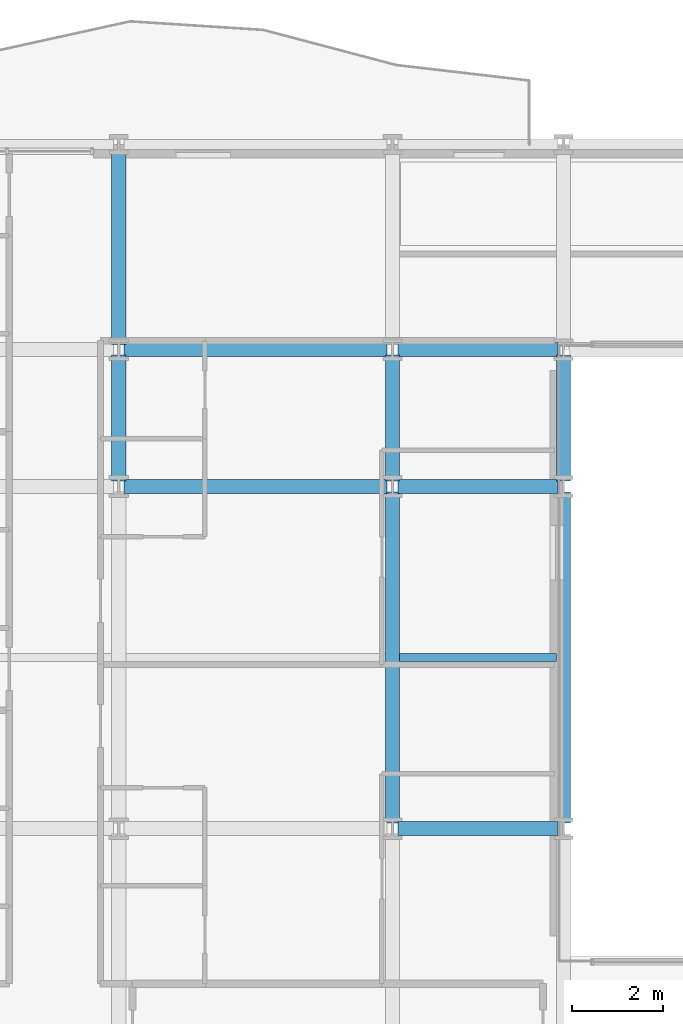
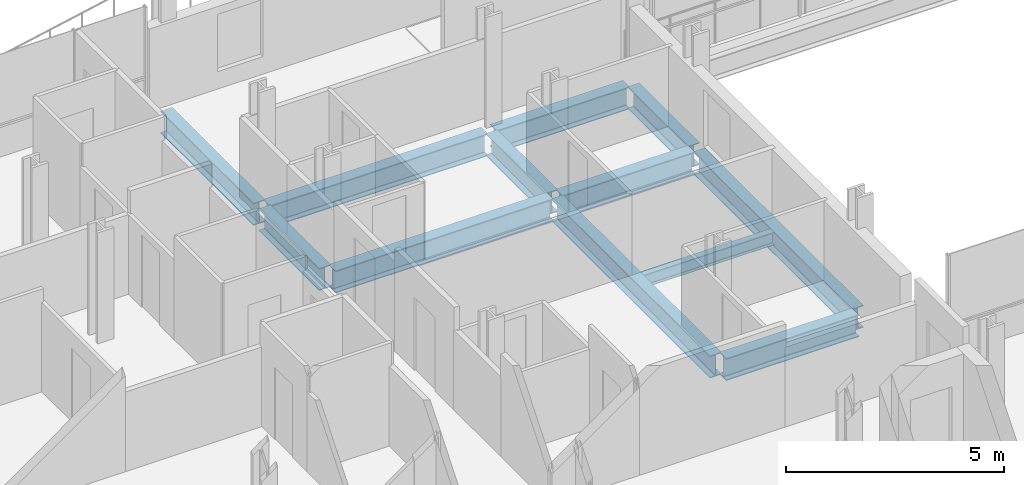
# One storey, part 8 of 40: 12 beams.
"""IFC4 building model written with IfcOpenShell, lengths in metres."""

from ifc_helpers import new_model, si_unit, direction, frame, origin, origin_2d, place, context, subcontext, project, spatial, i_section, extrude, material, material_profile, profile_set, type_object, element, save


model = new_model("IFC4")

# Units and contexts
model_context = context("Model", 3, precision=1e-05, world=origin(), true_north=direction((0.0, 1.0)))
body_context = subcontext(model_context, "Body", "Model", "MODEL_VIEW")
ifc_project = project(units=[si_unit("LENGTHUNIT", "METRE"), si_unit("AREAUNIT", "SQUARE_METRE"), si_unit("VOLUMEUNIT", "CUBIC_METRE"), si_unit("PLANEANGLEUNIT", "RADIAN"), si_unit("MASSUNIT", "GRAM", prefix="KILO")], contexts=[model_context])

# Site, building, storey
site_placement = place(None, origin())
site = spatial("IfcSite", under=ifc_project, at=site_placement, CompositionType="ELEMENT")
building_placement = place(site_placement, origin())
building = spatial("IfcBuilding", under=site, at=building_placement, Name="Brevholm Reach", CompositionType="ELEMENT")
storey_placement = place(building_placement, frame((0.0, 0.0, 37.300048828125)))
storey = spatial("IfcBuildingStorey", under=building, at=storey_placement, Name="L09", CompositionType="ELEMENT", Elevation=37.300048828125)

# Beams
ifc_material_1 = material(Name="Structural Steel S355J2", Category="steel")
ifc_material_profile_1 = material_profile(ifc_material_1, i_section(OverallWidth=0.17138671875, OverallDepth=0.35498046875, WebThickness=0.00732421875, FlangeThickness=0.011474609375, FilletRadius=0.01025390625, at=origin_2d()), Name="UKB 356x171x51")
ifc_profile_set_1 = profile_set([ifc_material_profile_1], Name="Structural Steel S355J2")
beam_type_1 = type_object("IfcBeamType", Name="BM-B356", PredefinedType="BEAM", material=ifc_profile_set_1)
beam_1_placement = place(storey_placement, frame((18.153564453125, 19.75, -0.407470703125), z_axis=(1.0, 0.0, 0.0), x_axis=(0.0, 1.0, 0.0)))
element("IfcBeam", 1, at=beam_1_placement, inside=storey, type_object=beam_type_1, Name="L09 Composite Secondary Floor Beam", PredefinedType="BEAM", context=body_context, shape_type="SweptSolid", body=[
    extrude(i_section(OverallWidth=0.17138671875, OverallDepth=0.35498046875, WebThickness=0.00732421875, FlangeThickness=0.011474609375, FilletRadius=0.01025390625, at=origin_2d()), origin(), (0.0, 0.0, 1.0), 3.44287109375),
])
ifc_material_2 = material(Name="Structural Steel S355J2", Category="steel")
ifc_material_profile_2 = material_profile(ifc_material_2, i_section(OverallWidth=0.30712890625, OverallDepth=0.6201171875, WebThickness=0.01416015625, FlangeThickness=0.023681640625, FilletRadius=0.0166015625, at=origin_2d()), Name="UKB 610x305x179")
ifc_profile_set_2 = profile_set([ifc_material_profile_2], Name="Structural Steel S355J2")
beam_type_2 = type_object("IfcBeamType", Name="BM-UKB610H", PredefinedType="USERDEFINED", material=ifc_profile_set_2)
beam_2_placement = place(storey_placement, frame((18.1201171875, 16.0, -0.5400390625), z_axis=(1.0, 0.0, 0.0), x_axis=(0.0, 1.0, 0.0)))
element("IfcBeam", 2, at=beam_2_placement, inside=storey, type_object=beam_type_2, Name="L09 G-06 Framing Beam", ObjectType="GIRDER", PredefinedType="USERDEFINED", context=body_context, shape_type="SweptSolid", body=[
    extrude(i_section(OverallWidth=0.30712890625, OverallDepth=0.6201171875, WebThickness=0.01416015625, FlangeThickness=0.023681640625, FilletRadius=0.0166015625, at=origin_2d()), origin(), (0.0, 0.0, 1.0), 3.509765625),
])
beam_3_placement = place(storey_placement, frame((12.1201171875, 23.5, -0.5400390625), z_axis=(1.0, 0.0, 0.0), x_axis=(0.0, 1.0, 0.0)))
element("IfcBeam", 3, at=beam_3_placement, inside=storey, type_object=beam_type_2, Name="L09 G-06 Framing Beam", ObjectType="GIRDER", PredefinedType="USERDEFINED", context=body_context, shape_type="SweptSolid", body=[
    extrude(i_section(OverallWidth=0.30712890625, OverallDepth=0.6201171875, WebThickness=0.01416015625, FlangeThickness=0.023681640625, FilletRadius=0.0166015625, at=origin_2d()), origin(), (0.0, 0.0, 1.0), 5.759765625),
])
beam_4_placement = place(storey_placement, frame((18.1201171875, 23.5, -0.5400390625), z_axis=(1.0, 0.0, 0.0), x_axis=(0.0, 1.0, 0.0)))
element("IfcBeam", 4, at=beam_4_placement, inside=storey, type_object=beam_type_2, Name="L09 G-06 Framing Beam", ObjectType="GIRDER", PredefinedType="USERDEFINED", context=body_context, shape_type="SweptSolid", body=[
    extrude(i_section(OverallWidth=0.30712890625, OverallDepth=0.6201171875, WebThickness=0.01416015625, FlangeThickness=0.023681640625, FilletRadius=0.0166015625, at=origin_2d()), origin(), (0.0, 0.0, 1.0), 3.509765625),
])
beam_5_placement = place(storey_placement, frame((12.1201171875, 26.5, -0.5400390625), z_axis=(1.0, 0.0, 0.0), x_axis=(0.0, 1.0, 0.0)))
element("IfcBeam", 5, at=beam_5_placement, inside=storey, type_object=beam_type_2, Name="L09 G-06 Framing Beam", ObjectType="GIRDER", PredefinedType="USERDEFINED", context=body_context, shape_type="SweptSolid", body=[
    extrude(i_section(OverallWidth=0.30712890625, OverallDepth=0.6201171875, WebThickness=0.01416015625, FlangeThickness=0.023681640625, FilletRadius=0.0166015625, at=origin_2d()), origin(), (0.0, 0.0, 1.0), 5.759765625),
])
beam_6_placement = place(storey_placement, frame((18.1201171875, 26.5, -0.5400390625), z_axis=(1.0, 0.0, 0.0), x_axis=(0.0, 1.0, 0.0)))
element("IfcBeam", 6, at=beam_6_placement, inside=storey, type_object=beam_type_2, Name="L09 G-06 Framing Beam", ObjectType="GIRDER", PredefinedType="USERDEFINED", context=body_context, shape_type="SweptSolid", body=[
    extrude(i_section(OverallWidth=0.30712890625, OverallDepth=0.6201171875, WebThickness=0.01416015625, FlangeThickness=0.023681640625, FilletRadius=0.0166015625, at=origin_2d()), origin(), (0.0, 0.0, 1.0), 3.509765625),
])
beam_7_placement = place(storey_placement, frame((12.0, 23.6201171875, -0.5400390625), z_axis=(0.0, 1.0, 0.0), x_axis=(-1.0, 0.0, 0.0)))
element("IfcBeam", 7, at=beam_7_placement, inside=storey, type_object=beam_type_2, Name="L09 G-06 Framing Beam", ObjectType="GIRDER", PredefinedType="USERDEFINED", context=body_context, shape_type="SweptSolid", body=[
    extrude(i_section(OverallWidth=0.30712890625, OverallDepth=0.6201171875, WebThickness=0.01416015625, FlangeThickness=0.023681640625, FilletRadius=0.0166015625, at=origin_2d()), origin(), (0.0, 0.0, 1.0), 2.759765625),
])
beam_8_placement = place(storey_placement, frame((12.0, 26.6201171875, -0.5400390625), z_axis=(0.0, 1.0, 0.0), x_axis=(-1.0, 0.0, 0.0)))
element("IfcBeam", 8, at=beam_8_placement, inside=storey, type_object=beam_type_2, Name="L09 G-06 Framing Beam", ObjectType="GIRDER", PredefinedType="USERDEFINED", context=body_context, shape_type="SweptSolid", body=[
    extrude(i_section(OverallWidth=0.30712890625, OverallDepth=0.6201171875, WebThickness=0.01416015625, FlangeThickness=0.023681640625, FilletRadius=0.0166015625, at=origin_2d()), origin(), (0.0, 0.0, 1.0), 4.259765625),
])
beam_9_placement = place(storey_placement, frame((18.0, 16.1201171875, -0.5400390625), z_axis=(0.0, 1.0, 0.0), x_axis=(-1.0, 0.0, 0.0)))
element("IfcBeam", 9, at=beam_9_placement, inside=storey, type_object=beam_type_2, Name="L09 G-06 Framing Beam", ObjectType="GIRDER", PredefinedType="USERDEFINED", context=body_context, shape_type="SweptSolid", body=[
    extrude(i_section(OverallWidth=0.30712890625, OverallDepth=0.6201171875, WebThickness=0.01416015625, FlangeThickness=0.023681640625, FilletRadius=0.0166015625, at=origin_2d()), origin(), (0.0, 0.0, 1.0), 7.259765625),
])
beam_10_placement = place(storey_placement, frame((18.0, 23.6201171875, -0.5400390625), z_axis=(0.0, 1.0, 0.0), x_axis=(-1.0, 0.0, 0.0)))
element("IfcBeam", 10, at=beam_10_placement, inside=storey, type_object=beam_type_2, Name="L09 G-06 Framing Beam", ObjectType="GIRDER", PredefinedType="USERDEFINED", context=body_context, shape_type="SweptSolid", body=[
    extrude(i_section(OverallWidth=0.30712890625, OverallDepth=0.6201171875, WebThickness=0.01416015625, FlangeThickness=0.023681640625, FilletRadius=0.0166015625, at=origin_2d()), origin(), (0.0, 0.0, 1.0), 2.759765625),
])
beam_11_placement = place(storey_placement, frame((21.75, 16.1201171875, -0.5400390625), z_axis=(0.0, 1.0, 0.0), x_axis=(-1.0, 0.0, 0.0)))
element("IfcBeam", 11, at=beam_11_placement, inside=storey, type_object=beam_type_2, Name="L09 G-06 Framing Beam", ObjectType="GIRDER", PredefinedType="USERDEFINED", context=body_context, shape_type="SweptSolid", body=[
    extrude(i_section(OverallWidth=0.30712890625, OverallDepth=0.6201171875, WebThickness=0.01416015625, FlangeThickness=0.023681640625, FilletRadius=0.0166015625, at=origin_2d()), origin(), (0.0, 0.0, 1.0), 7.259765625),
])
beam_12_placement = place(storey_placement, frame((21.75, 23.6201171875, -0.5400390625), z_axis=(0.0, 1.0, 0.0), x_axis=(-1.0, 0.0, 0.0)))
element("IfcBeam", 12, at=beam_12_placement, inside=storey, type_object=beam_type_2, Name="L09 G-06 Framing Beam", ObjectType="GIRDER", PredefinedType="USERDEFINED", context=body_context, shape_type="SweptSolid", body=[
    extrude(i_section(OverallWidth=0.30712890625, OverallDepth=0.6201171875, WebThickness=0.01416015625, FlangeThickness=0.023681640625, FilletRadius=0.0166015625, at=origin_2d()), origin(), (0.0, 0.0, 1.0), 2.759765625),
])

save(model, "model.ifc")
